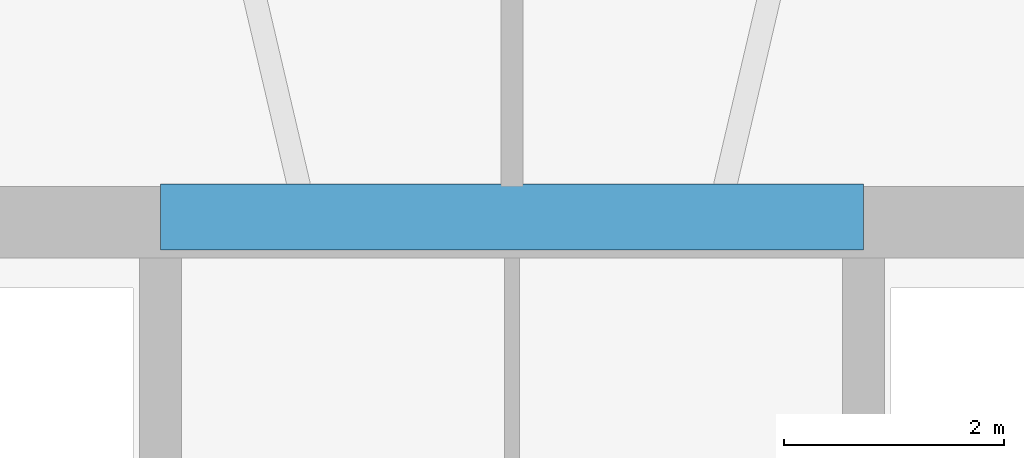
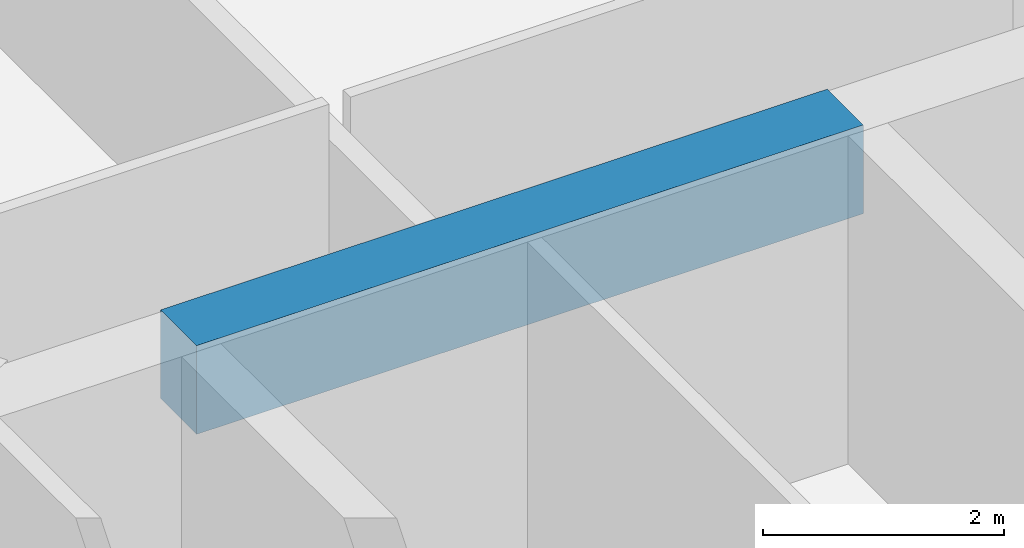
# One storey, part 8 of 26: 1 beam.
"""IFC4 building model written with IfcOpenShell, lengths in metres."""

from ifc_helpers import new_model, si_unit, direction, frame, origin, origin_2d, place, context, subcontext, project, spatial, rectangle, extrude, material, material_profile, profile_set, type_object, element, save


model = new_model("IFC4")

# Units and contexts
model_context = context("Model", 3, precision=1e-05, world=origin(), true_north=direction((-0.2419218956, 0.970295726276)))
body_context = subcontext(model_context, "Body", "Model", "MODEL_VIEW")
ifc_project = project(units=[si_unit("LENGTHUNIT", "METRE"), si_unit("AREAUNIT", "SQUARE_METRE"), si_unit("VOLUMEUNIT", "CUBIC_METRE"), si_unit("PLANEANGLEUNIT", "RADIAN"), si_unit("MASSUNIT", "GRAM", prefix="KILO")], contexts=[model_context])

# Site, building, storey
site_placement = place(None, origin())
site = spatial("IfcSite", under=ifc_project, at=site_placement, CompositionType="ELEMENT")
building_placement = place(site_placement, origin())
building = spatial("IfcBuilding", under=site, at=building_placement, Name="Cobrevalo Terracotta Tower", CompositionType="ELEMENT")
storey_placement = place(building_placement, frame((0.0, 0.0, 175.0)))
storey = spatial("IfcBuildingStorey", under=building, at=storey_placement, Name="L46", CompositionType="ELEMENT", Elevation=175.0)

# Beam
ifc_material = material(Name="Concrete C60", Category="concrete")
ifc_material_profile = material_profile(ifc_material, rectangle(XDim=0.60009765625, YDim=0.89990234375, at=origin_2d()), Name="RC CB 600x900")
ifc_profile_set = profile_set([ifc_material_profile], Name="Concrete C60")
beam_type = type_object("IfcBeamType", Name="Structural Beam RC CB 600x900 (Concrete C60)", PredefinedType="BEAM", material=ifc_profile_set)
beam_placement = place(storey_placement, frame((34.800048828125, 34.800048828125, 2.8798828125), z_axis=(1.0, 0.0, 0.0), x_axis=(0.0, 1.0, 0.0)))
element("IfcBeam", 1, at=beam_placement, inside=storey, type_object=beam_type, Name="L46 core coupling beam 2", PredefinedType="BEAM", context=body_context, shape_type="SweptSolid", body=[
    extrude(rectangle(XDim=0.60009765625, YDim=0.89990234375, at=origin_2d()), origin(), (0.0, 0.0, 1.0), 6.39990234375),
])

save(model, "model.ifc")
